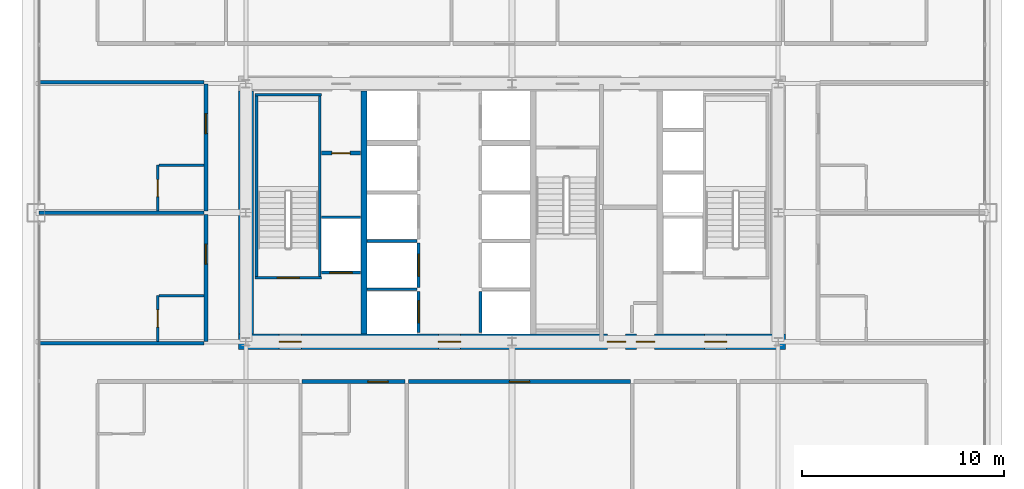
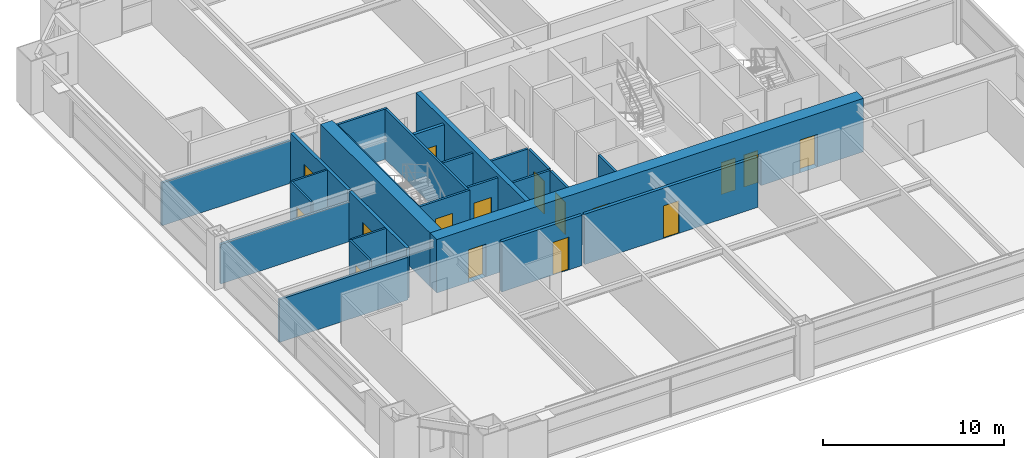
# One storey, part 35 of 39: 26 walls, 16 doors, 16 openings.
"""IFC4 building model written with IfcOpenShell, lengths in metres."""

from ifc_helpers import new_model, si_unit, direction, frame, frame_2d, origin, place, context, subcontext, project, spatial, rectangle, extrude, source, transform, mapped, material, layer, layer_set, type_object, element, fill, save


model = new_model("IFC4")

# Units and contexts
model_context = context("Model", 3, precision=1e-05, world=origin(), true_north=direction((0.0, 1.0)))
body_context = subcontext(model_context, "Body", "Model", "MODEL_VIEW")
ifc_project = project(units=[si_unit("LENGTHUNIT", "METRE"), si_unit("AREAUNIT", "SQUARE_METRE"), si_unit("VOLUMEUNIT", "CUBIC_METRE"), si_unit("PLANEANGLEUNIT", "RADIAN"), si_unit("MASSUNIT", "GRAM", prefix="KILO"), si_unit("THERMODYNAMICTEMPERATUREUNIT", "KELVIN"), si_unit("POWERUNIT", "WATT")], contexts=[model_context])

# Site, building, storey
site_placement = place(None, origin())
site = spatial("IfcSite", under=ifc_project, at=site_placement, CompositionType="ELEMENT")
building_placement = place(site_placement, origin())
building = spatial("IfcBuilding", under=site, at=building_placement, Name="Yuzanri Waterfront Tower", CompositionType="ELEMENT")
storey_placement = place(building_placement, frame((0.0, 0.0, 141.60009765625)))
storey = spatial("IfcBuildingStorey", under=building, at=storey_placement, Name="L37", CompositionType="ELEMENT", Elevation=141.60009765625)

# Wall, opening, door
ifc_material_1 = material(Name="Moisture-Resistant Gypsum Stud Wall", Category="gypsum")
ifc_layer_1 = layer(ifc_material_1, 0.1201171875)
ifc_layer_set_1 = layer_set([ifc_layer_1], Name="Moisture-Resistant Gypsum Stud Wall")
wall_type_1 = type_object("IfcWallType", Name="Bathroom and Kitchen Wet Partition 120", PredefinedType="PARTITIONING", material=ifc_layer_set_1)
wall_1_placement = place(storey_placement, frame((19.43994140625, 19.409912109375, 0.0), z_axis=(0.0, 0.0, 1.0), x_axis=(0.0, 1.0, 0.0)))
wall_1 = element("IfcWall", 1, at=wall_1_placement, inside=storey, type_object=wall_type_1, Name="L37 Partition UW-L37-W1-BW", PredefinedType="PARTITIONING", context=body_context, shape_type="SweptSolid", body=[
    extrude(rectangle(XDim=2.280029296875, YDim=0.1201171875, at=frame_2d((1.14013671875, 0.0))), origin(), (0.0, 0.0, 1.0), 3.3798828125),
])
opening_1_placement = place(wall_1_placement, frame((0.715087890625, 0.0, 0.0)))
opening_1 = element("IfcOpeningElement", 2, at=opening_1_placement, cuts=wall_1, Name="Opening ID-0850", PredefinedType="OPENING", context=body_context, shape_type="SweptSolid", body=[
    extrude(rectangle(XDim=0.85009765625, YDim=2.10009765625, at=frame_2d((0.425048828125, 1.050048828125))), frame((0.0, 0.074951171875, 0.0), z_axis=(0.0, -1.0, 0.0), x_axis=(1.0, 0.0, 0.0)), (0.0, 0.0, 1.0), 0.14990234375),
])
ifc_material_2 = material(Name="Moisture-Resistant Lacquered Timber", Category="wood")
door_type_1 = type_object("IfcDoorType", Name="En-Suite Bathroom and Kitchen Swing Door 850x2100", OperationType="NOTDEFINED", PredefinedType="DOOR", material=ifc_material_2)
shared_shape_1 = source(origin(), body_context, "Body", "SweptSolid", [
    extrude(rectangle(XDim=0.85009765625, YDim=2.10009765625, at=frame_2d((0.425048828125, 1.050048828125))), frame((0.0, 0.02490234375, 0.0), z_axis=(0.0, -1.0, 0.0), x_axis=(1.0, 0.0, 0.0)), (0.0, 0.0, 1.0), 0.050048828125),
])
door_1_placement = place(opening_1_placement, origin())
door_1 = element("IfcDoor", 3, at=door_1_placement, inside=storey, type_object=door_type_1, Name="L37 Guest En-Suite Door", OperationType="SINGLE_SWING_RIGHT", OverallHeight=2.10009765625, OverallWidth=0.85009765625, PredefinedType="DOOR", context=body_context, shape_type="MappedRepresentation", body=[
    mapped(shared_shape_1, transform((0.0, 0.0, 0.0), scale=1.0)),
])
fill(opening_1, door_1)

wall_2_placement = place(storey_placement, frame((19.43994140625, 25.8798828125, 0.0), z_axis=(0.0, 0.0, 1.0), x_axis=(0.0, 1.0, 0.0)))
wall_2 = element("IfcWall", 4, at=wall_2_placement, inside=storey, type_object=wall_type_1, Name="L37 Partition UW-L37-W2-BW", PredefinedType="PARTITIONING", context=body_context, shape_type="SweptSolid", body=[
    extrude(rectangle(XDim=2.280029296875, YDim=0.1201171875, at=frame_2d((1.14013671875, 0.0))), origin(), (0.0, 0.0, 1.0), 3.3798828125),
])
opening_2_placement = place(wall_2_placement, frame((0.715087890625, 0.0, 0.0)))
opening_2 = element("IfcOpeningElement", 5, at=opening_2_placement, cuts=wall_2, Name="Opening ID-0850", PredefinedType="OPENING", context=body_context, shape_type="SweptSolid", body=[
    extrude(rectangle(XDim=0.85009765625, YDim=2.10009765625, at=frame_2d((0.425048828125, 1.050048828125))), frame((0.0, 0.074951171875, 0.0), z_axis=(0.0, -1.0, 0.0), x_axis=(1.0, 0.0, 0.0)), (0.0, 0.0, 1.0), 0.14990234375),
])
door_2_placement = place(opening_2_placement, origin())
door_2 = element("IfcDoor", 6, at=door_2_placement, inside=storey, type_object=door_type_1, Name="L37 Guest En-Suite Door", OperationType="SINGLE_SWING_RIGHT", OverallHeight=2.10009765625, OverallWidth=0.85009765625, PredefinedType="DOOR", context=body_context, shape_type="MappedRepresentation", body=[
    mapped(shared_shape_1, transform((0.0, 0.0, 0.0), scale=1.0)),
])
fill(opening_2, door_2)

# Wall, openings, doors
ifc_material_3 = material(Name="Concrete C55", Category="concrete")
ifc_layer_2 = layer(ifc_material_3, 0.75)
ifc_layer_set_2 = layer_set([ifc_layer_2], Name="Concrete C55")
wall_type_2 = type_object("IfcWallType", Name="Concrete C55 Low-Mid Zone Core Shear Wall 750", PredefinedType="SHEAR", material=ifc_layer_set_2)
wall_3_placement = place(storey_placement, frame((23.425048828125, 19.39990234375, 0.0), z_axis=(0.0, 0.0, 1.0), x_axis=(1.0, 0.0, 0.0)))
wall_3 = element("IfcWall", 7, at=wall_3_placement, inside=storey, type_object=wall_type_2, Name="L37 Core South Shear Wall", PredefinedType="SHEAR", context=body_context, shape_type="SweptSolid", body=[
    extrude(rectangle(XDim=27.14990234375, YDim=0.75, at=frame_2d((13.574951171875, 0.0))), origin(), (0.0, 0.0, 1.0), 3.599853515625),
])
opening_3_placement = place(wall_3_placement, frame((2.02490234375, 0.0, 0.0)))
opening_3 = element("IfcOpeningElement", 8, at=opening_3_placement, cuts=wall_3, Name="Opening FD-1100", PredefinedType="OPENING", context=body_context, shape_type="SweptSolid", body=[
    extrude(rectangle(XDim=1.10009765625, YDim=2.199951171875, at=frame_2d((0.550048828125, 1.10009765625))), frame((0.0, 0.389892578125, 0.0), z_axis=(0.0, -1.0, 0.0), x_axis=(1.0, 0.0, 0.0)), (0.0, 0.0, 1.0), 0.77978515625),
])
opening_4_placement = place(wall_3_placement, frame((9.925048828125, 0.0, 0.0)))
opening_4 = element("IfcOpeningElement", 9, at=opening_4_placement, cuts=wall_3, Name="Opening FD-1100", PredefinedType="OPENING", context=body_context, shape_type="SweptSolid", body=[
    extrude(rectangle(XDim=1.10009765625, YDim=2.199951171875, at=frame_2d((0.550048828125, 1.10009765625))), frame((0.0, 0.389892578125, 0.0), z_axis=(0.0, -1.0, 0.0), x_axis=(1.0, 0.0, 0.0)), (0.0, 0.0, 1.0), 0.77978515625),
])
opening_5_placement = place(wall_3_placement, frame((23.125, 0.0, 0.0)))
opening_5 = element("IfcOpeningElement", 10, at=opening_5_placement, cuts=wall_3, Name="Opening FD-1100", PredefinedType="OPENING", context=body_context, shape_type="SweptSolid", body=[
    extrude(rectangle(XDim=1.10009765625, YDim=2.199951171875, at=frame_2d((0.550048828125, 1.10009765625))), frame((0.0, 0.389892578125, 0.0), z_axis=(0.0, -1.0, 0.0), x_axis=(1.0, 0.0, 0.0)), (0.0, 0.0, 1.0), 0.77978515625),
])
opening_6_placement = place(wall_3_placement, frame((19.7451171875, 0.0, 0.0)))
opening_6 = element("IfcOpeningElement", 11, at=opening_6_placement, cuts=wall_3, Name="Opening FD-0900", PredefinedType="OPENING", context=body_context, shape_type="SweptSolid", body=[
    extrude(rectangle(XDim=0.89990234375, YDim=2.14990234375, at=frame_2d((0.449951171875, 1.074951171875))), frame((0.0, 0.389892578125, 0.0), z_axis=(0.0, -1.0, 0.0), x_axis=(1.0, 0.0, 0.0)), (0.0, 0.0, 1.0), 0.77978515625),
])
opening_7_placement = place(wall_3_placement, frame((18.304931640625, 0.0, 0.0)))
opening_7 = element("IfcOpeningElement", 12, at=opening_7_placement, cuts=wall_3, Name="Opening FD-0900", PredefinedType="OPENING", context=body_context, shape_type="SweptSolid", body=[
    extrude(rectangle(XDim=0.89990234375, YDim=2.14990234375, at=frame_2d((0.449951171875, 1.074951171875))), frame((0.0, 0.389892578125, 0.0), z_axis=(0.0, -1.0, 0.0), x_axis=(1.0, 0.0, 0.0)), (0.0, 0.0, 1.0), 0.77978515625),
])
ifc_material_4 = material(Name="Painted Galvanized Fire Steel", Category="steel")
door_type_2 = type_object("IfcDoorType", Name="Smoke-Proof Stair and Lobby Fire Door 1100x2200", OperationType="NOTDEFINED", PredefinedType="DOOR", material=ifc_material_4)
shared_shape_2 = source(origin(), body_context, "Body", "SweptSolid", [
    extrude(rectangle(XDim=1.10009765625, YDim=2.199951171875, at=frame_2d((0.550048828125, 1.10009765625))), frame((0.0, 0.02490234375, 0.0), z_axis=(0.0, -1.0, 0.0), x_axis=(1.0, 0.0, 0.0)), (0.0, 0.0, 1.0), 0.050048828125),
])
door_3_placement = place(opening_3_placement, origin())
door_3 = element("IfcDoor", 13, at=door_3_placement, inside=storey, type_object=door_type_2, Name="L37 West Firefighting Lobby Door", OperationType="SINGLE_SWING_LEFT", OverallHeight=2.199951171875, OverallWidth=1.10009765625, PredefinedType="DOOR", context=body_context, shape_type="MappedRepresentation", body=[
    mapped(shared_shape_2, transform((0.0, 0.0, 0.0), scale=1.0)),
])
fill(opening_3, door_3)
door_4_placement = place(opening_4_placement, origin())
door_4 = element("IfcDoor", 14, at=door_4_placement, inside=storey, type_object=door_type_2, Name="L37 Central Lift Lobby South Door", OperationType="SINGLE_SWING_RIGHT", OverallHeight=2.199951171875, OverallWidth=1.10009765625, PredefinedType="DOOR", context=body_context, shape_type="MappedRepresentation", body=[
    mapped(shared_shape_2, transform((0.0, 0.0, 0.0), scale=1.0)),
])
fill(opening_4, door_4)
door_5_placement = place(opening_5_placement, origin())
door_5 = element("IfcDoor", 15, at=door_5_placement, inside=storey, type_object=door_type_2, Name="L37 East Firefighting Lobby Door", OperationType="SINGLE_SWING_LEFT", OverallHeight=2.199951171875, OverallWidth=1.10009765625, PredefinedType="DOOR", context=body_context, shape_type="MappedRepresentation", body=[
    mapped(shared_shape_2, transform((0.0, 0.0, 0.0), scale=1.0)),
])
fill(opening_5, door_5)
ifc_material_5 = material(Name="Painted Galvanized Fire Steel", Category="steel")
door_type_3 = type_object("IfcDoorType", Name="Riser and Service Room Fire Door 900x2150", OperationType="NOTDEFINED", PredefinedType="DOOR", material=ifc_material_5)
shared_shape_3 = source(origin(), body_context, "Body", "SweptSolid", [
    extrude(rectangle(XDim=0.89990234375, YDim=2.14990234375, at=frame_2d((0.449951171875, 1.074951171875))), frame((0.0, 0.02490234375, 0.0), z_axis=(0.0, -1.0, 0.0), x_axis=(1.0, 0.0, 0.0)), (0.0, 0.0, 1.0), 0.050048828125),
])
door_6_placement = place(opening_6_placement, origin())
door_6 = element("IfcDoor", 16, at=door_6_placement, inside=storey, type_object=door_type_3, Name="L37 East Wet Riser Door", OperationType="SINGLE_SWING_RIGHT", OverallHeight=2.14990234375, OverallWidth=0.89990234375, PredefinedType="DOOR", context=body_context, shape_type="MappedRepresentation", body=[
    mapped(shared_shape_3, transform((0.0, 0.0, 0.0), scale=1.0)),
])
fill(opening_6, door_6)
door_7_placement = place(opening_7_placement, origin())
door_7 = element("IfcDoor", 17, at=door_7_placement, inside=storey, type_object=door_type_3, Name="L37 Meter and Valve Store Room", OperationType="SINGLE_SWING_LEFT", OverallHeight=2.14990234375, OverallWidth=0.89990234375, PredefinedType="DOOR", context=body_context, shape_type="MappedRepresentation", body=[
    mapped(shared_shape_3, transform((0.0, 0.0, 0.0), scale=1.0)),
])
fill(opening_7, door_7)

# Wall, opening, door
ifc_material_6 = material(Name="Concrete C40", Category="concrete")
ifc_layer_3 = layer(ifc_material_6, 0.139892578125)
ifc_layer_set_3 = layer_set([ifc_layer_3], Name="Concrete C40")
wall_type_3 = type_object("IfcWallType", Name="Core Stair Liner and Hoistway Shaft Wall 140", PredefinedType="SOLIDWALL", material=ifc_layer_set_3)
wall_4_placement = place(storey_placement, frame((27.56005859375, 22.830078125, 0.0), z_axis=(0.0, 0.0, 1.0), x_axis=(1.0, 0.0, 0.0)))
wall_4 = element("IfcWall", 18, at=wall_4_placement, inside=storey, type_object=wall_type_3, Name="L37 Lift FL-01 Front Shaft Wall", PredefinedType="SOLIDWALL", context=body_context, shape_type="SweptSolid", body=[
    extrude(rectangle(XDim=1.919921875, YDim=0.139892578125, at=frame_2d((0.9599609375, 0.0))), origin(), (0.0, 0.0, 1.0), 3.3798828125),
])
opening_8_placement = place(wall_4_placement, frame((0.409912109375, 0.0, 0.0)))
opening_8 = element("IfcOpeningElement", 19, at=opening_8_placement, cuts=wall_4, Name="Opening LD-FL-01", PredefinedType="OPENING", context=body_context, shape_type="SweptSolid", body=[
    extrude(rectangle(XDim=1.10009765625, YDim=2.199951171875, at=frame_2d((0.550048828125, 1.10009765625))), frame((0.0, 0.0849609375, 0.0), z_axis=(0.0, -1.0, 0.0), x_axis=(1.0, 0.0, 0.0)), (0.0, 0.0, 1.0), 0.169677734375),
])
ifc_material_7 = material(Name="Brushed Bronze and Stainless Steel Cab", Category="steel")
door_type_4 = type_object("IfcDoorType", Name="Center-Parting Bronze Lift Landing Sliding Door 1100x2200", OperationType="NOTDEFINED", PredefinedType="DOOR", material=ifc_material_7)
shared_shape_4 = source(origin(), body_context, "Body", "SweptSolid", [
    extrude(rectangle(XDim=1.10009765625, YDim=2.199951171875, at=frame_2d((0.550048828125, 1.10009765625))), frame((0.0, 0.02490234375, 0.0), z_axis=(0.0, -1.0, 0.0), x_axis=(1.0, 0.0, 0.0)), (0.0, 0.0, 1.0), 0.050048828125),
])
door_8_placement = place(opening_8_placement, origin())
door_8 = element("IfcDoor", 20, at=door_8_placement, inside=storey, type_object=door_type_4, Name="L37 FL-01 Lift Landing Sliding Door", OperationType="SLIDING_TO_LEFT", OverallHeight=2.199951171875, OverallWidth=1.10009765625, PredefinedType="DOOR", context=body_context, shape_type="MappedRepresentation", body=[
    mapped(shared_shape_4, transform((0.0, 0.0, 0.0), scale=1.0)),
])
fill(opening_8, door_8)

wall_5_placement = place(storey_placement, frame((32.3701171875, 19.860107421875, 0.0), z_axis=(0.0, 0.0, 1.0), x_axis=(0.0, 1.0, 0.0)))
wall_5 = element("IfcWall", 21, at=wall_5_placement, inside=storey, type_object=wall_type_3, Name="L37 Lift PL-01 Front Shaft Wall", PredefinedType="SOLIDWALL", context=body_context, shape_type="SweptSolid", body=[
    extrude(rectangle(XDim=2.039794921875, YDim=0.139892578125, at=frame_2d((1.02001953125, 0.0))), origin(), (0.0, 0.0, 1.0), 3.3798828125),
])
opening_9_placement = place(wall_5_placement, frame((0.469970703125, 0.0, 0.0)))
opening_9 = element("IfcOpeningElement", 22, at=opening_9_placement, cuts=wall_5, Name="Opening LD-PL-01", PredefinedType="OPENING", context=body_context, shape_type="SweptSolid", body=[
    extrude(rectangle(XDim=1.10009765625, YDim=2.199951171875, at=frame_2d((0.550048828125, 1.10009765625))), frame((0.0, 0.0849609375, 0.0), z_axis=(0.0, -1.0, 0.0), x_axis=(1.0, 0.0, 0.0)), (0.0, 0.0, 1.0), 0.169677734375),
])
door_9_placement = place(opening_9_placement, origin())
door_9 = element("IfcDoor", 23, at=door_9_placement, inside=storey, type_object=door_type_4, Name="L37 PL-01 Lift Landing Sliding Door", OperationType="SLIDING_TO_LEFT", OverallHeight=2.199951171875, OverallWidth=1.10009765625, PredefinedType="DOOR", context=body_context, shape_type="MappedRepresentation", body=[
    mapped(shared_shape_4, transform((0.0, 0.0, 0.0), scale=1.0)),
])
fill(opening_9, door_9)

wall_6_placement = place(storey_placement, frame((32.3701171875, 22.10009765625, 0.0), z_axis=(0.0, 0.0, 1.0), x_axis=(0.0, 1.0, 0.0)))
wall_6 = element("IfcWall", 24, at=wall_6_placement, inside=storey, type_object=wall_type_3, Name="L37 Lift PL-02 Front Shaft Wall", PredefinedType="SOLIDWALL", context=body_context, shape_type="SweptSolid", body=[
    extrude(rectangle(XDim=2.199951171875, YDim=0.139892578125, at=frame_2d((1.10009765625, 0.0))), origin(), (0.0, 0.0, 1.0), 3.3798828125),
])
opening_10_placement = place(wall_6_placement, frame((0.550048828125, 0.0, 0.0)))
opening_10 = element("IfcOpeningElement", 25, at=opening_10_placement, cuts=wall_6, Name="Opening LD-PL-02", PredefinedType="OPENING", context=body_context, shape_type="SweptSolid", body=[
    extrude(rectangle(XDim=1.10009765625, YDim=2.199951171875, at=frame_2d((0.550048828125, 1.10009765625))), frame((0.0, 0.0849609375, 0.0), z_axis=(0.0, -1.0, 0.0), x_axis=(1.0, 0.0, 0.0)), (0.0, 0.0, 1.0), 0.169677734375),
])
door_10_placement = place(opening_10_placement, origin())
door_10 = element("IfcDoor", 26, at=door_10_placement, inside=storey, type_object=door_type_4, Name="L37 PL-02 Lift Landing Sliding Door", OperationType="SLIDING_TO_RIGHT", OverallHeight=2.199951171875, OverallWidth=1.10009765625, PredefinedType="DOOR", context=body_context, shape_type="MappedRepresentation", body=[
    mapped(shared_shape_4, transform((0.0, 0.0, 0.0), scale=1.0)),
])
fill(opening_10, door_10)

wall_7_placement = place(storey_placement, frame((24.260009765625, 22.570068359375, 0.0), z_axis=(0.0, 0.0, 1.0), x_axis=(1.0, 0.0, 0.0)))
wall_7 = element("IfcWall", 27, at=wall_7_placement, inside=storey, type_object=wall_type_3, Name="L37 Shaft Wall STW-L37-ST-01-S", PredefinedType="SOLIDWALL", context=body_context, shape_type="SweptSolid", body=[
    extrude(rectangle(XDim=3.280029296875, YDim=0.139892578125, at=frame_2d((1.64013671875, 0.0))), origin(), (0.0, 0.0, 1.0), 3.3798828125),
])
opening_11_placement = place(wall_7_placement, frame((1.090087890625, 0.0, 0.0)))
opening_11 = element("IfcOpeningElement", 28, at=opening_11_placement, cuts=wall_7, Name="Opening FD-1100", PredefinedType="OPENING", context=body_context, shape_type="SweptSolid", body=[
    extrude(rectangle(XDim=1.10009765625, YDim=2.199951171875, at=frame_2d((0.550048828125, 1.10009765625))), frame((0.0, 0.0849609375, 0.0), z_axis=(0.0, -1.0, 0.0), x_axis=(1.0, 0.0, 0.0)), (0.0, 0.0, 1.0), 0.169677734375),
])
door_11_placement = place(opening_11_placement, origin())
door_11 = element("IfcDoor", 29, at=door_11_placement, inside=storey, type_object=door_type_2, Name="L37 Stair ST-01 Fire Door", OperationType="SINGLE_SWING_RIGHT", OverallHeight=2.199951171875, OverallWidth=1.10009765625, PredefinedType="DOOR", context=body_context, shape_type="MappedRepresentation", body=[
    mapped(shared_shape_2, transform((0.0, 0.0, 0.0), scale=1.0)),
])
fill(opening_11, door_11)

ifc_material_8 = material(Name="Autoclaved Aerated Concrete Blockwork", Category="masonry")
ifc_layer_4 = layer(ifc_material_8, 0.199951171875)
ifc_layer_set_4 = layer_set([ifc_layer_4], Name="Autoclaved Aerated Concrete Blockwork")
wall_type_4 = type_object("IfcWallType", Name="Corridor and Unit Party Fire Wall 200", PredefinedType="PARTITIONING", material=ifc_layer_set_4)
wall_8_placement = place(storey_placement, frame((27.56005859375, 28.75, 0.0), z_axis=(0.0, 0.0, 1.0), x_axis=(1.0, 0.0, 0.0)))
wall_8 = element("IfcWall", 30, at=wall_8_placement, inside=storey, type_object=wall_type_4, Name="L37 Partition CRW-L37-ERTR", PredefinedType="PARTITIONING", context=body_context, shape_type="SweptSolid", body=[
    extrude(rectangle(XDim=1.919921875, YDim=0.199951171875, at=frame_2d((0.9599609375, 0.0))), origin(), (0.0, 0.0, 1.0), 3.3798828125),
])
opening_12_placement = place(wall_8_placement, frame((0.510009765625, 0.0, 0.0)))
opening_12 = element("IfcOpeningElement", 31, at=opening_12_placement, cuts=wall_8, Name="Opening FD-0900", PredefinedType="OPENING", context=body_context, shape_type="SweptSolid", body=[
    extrude(rectangle(XDim=0.89990234375, YDim=2.14990234375, at=frame_2d((0.449951171875, 1.074951171875))), frame((0.0, 0.11474609375, 0.0), z_axis=(0.0, -1.0, 0.0), x_axis=(1.0, 0.0, 0.0)), (0.0, 0.0, 1.0), 0.229736328125),
])
door_12_placement = place(opening_12_placement, origin())
door_12 = element("IfcDoor", 32, at=door_12_placement, inside=storey, type_object=door_type_3, Name="L37 Electrical Riser Door", OperationType="SINGLE_SWING_LEFT", OverallHeight=2.14990234375, OverallWidth=0.89990234375, PredefinedType="DOOR", context=body_context, shape_type="MappedRepresentation", body=[
    mapped(shared_shape_3, transform((0.0, 0.0, 0.0), scale=1.0)),
])
fill(opening_12, door_12)

wall_9_placement = place(storey_placement, frame((26.593994140625, 17.419921875, 0.0), z_axis=(0.0, 0.0, 1.0), x_axis=(1.0, 0.0, 0.0)))
wall_9 = element("IfcWall", 33, at=wall_9_placement, inside=storey, type_object=wall_type_4, Name="L37 Partition UW-L37-S2-CN", PredefinedType="PARTITIONING", context=body_context, shape_type="SweptSolid", body=[
    extrude(rectangle(XDim=5.10400390625, YDim=0.199951171875, at=frame_2d((2.552001953125, 0.0))), origin(), (0.0, 0.0, 1.0), 3.3798828125),
])
opening_13_placement = place(wall_9_placement, frame((3.257080078125, 0.0, 0.0)))
opening_13 = element("IfcOpeningElement", 34, at=opening_13_placement, cuts=wall_9, Name="Opening FD-1000", PredefinedType="OPENING", context=body_context, shape_type="SweptSolid", body=[
    extrude(rectangle(XDim=1.0, YDim=2.199951171875, at=frame_2d((0.5, 1.10009765625))), frame((0.0, 0.11474609375, 0.0), z_axis=(0.0, -1.0, 0.0), x_axis=(1.0, 0.0, 0.0)), (0.0, 0.0, 1.0), 0.229736328125),
])
ifc_material_9 = material(Name="Engineered Oak Fire-Rated Timber", Category="wood")
door_type_5 = type_object("IfcDoorType", Name="Guestroom and Apartment Entrance Fire Door 1000x2200", OperationType="NOTDEFINED", PredefinedType="DOOR", material=ifc_material_9)
shared_shape_5 = source(origin(), body_context, "Body", "SweptSolid", [
    extrude(rectangle(XDim=1.0, YDim=2.199951171875, at=frame_2d((0.5, 1.10009765625))), frame((0.0, 0.02490234375, 0.0), z_axis=(0.0, -1.0, 0.0), x_axis=(1.0, 0.0, 0.0)), (0.0, 0.0, 1.0), 0.050048828125),
])
door_13_placement = place(opening_13_placement, origin())
door_13 = element("IfcDoor", 35, at=door_13_placement, inside=storey, type_object=door_type_5, Name="L37 Junior Suite Entrance Door", OperationType="SINGLE_SWING_LEFT", OverallHeight=2.199951171875, OverallWidth=1.0, PredefinedType="DOOR", context=body_context, shape_type="MappedRepresentation", body=[
    mapped(shared_shape_5, transform((0.0, 0.0, 0.0), scale=1.0)),
])
fill(opening_13, door_13)

wall_10_placement = place(storey_placement, frame((31.85791015625, 17.419921875, 0.0), z_axis=(0.0, 0.0, 1.0), x_axis=(1.0, 0.0, 0.0)))
wall_10 = element("IfcWall", 36, at=wall_10_placement, inside=storey, type_object=wall_type_4, Name="L37 Partition UW-L37-S3-CN", PredefinedType="PARTITIONING", context=body_context, shape_type="SweptSolid", body=[
    extrude(rectangle(XDim=11.024169921875, YDim=0.199951171875, at=frame_2d((5.51220703125, 0.0))), origin(), (0.0, 0.0, 1.0), 3.3798828125),
])
opening_14_placement = place(wall_10_placement, frame((5.011962890625, 0.0, 0.0)))
opening_14 = element("IfcOpeningElement", 37, at=opening_14_placement, cuts=wall_10, Name="Opening FD-1000", PredefinedType="OPENING", context=body_context, shape_type="SweptSolid", body=[
    extrude(rectangle(XDim=1.0, YDim=2.199951171875, at=frame_2d((0.5, 1.10009765625))), frame((0.0, 0.11474609375, 0.0), z_axis=(0.0, -1.0, 0.0), x_axis=(1.0, 0.0, 0.0)), (0.0, 0.0, 1.0), 0.229736328125),
])
door_14_placement = place(opening_14_placement, origin())
door_14 = element("IfcDoor", 38, at=door_14_placement, inside=storey, type_object=door_type_5, Name="L37 Yoga Gym Studio Entrance Door", OperationType="SINGLE_SWING_LEFT", OverallHeight=2.199951171875, OverallWidth=1.0, PredefinedType="DOOR", context=body_context, shape_type="MappedRepresentation", body=[
    mapped(shared_shape_5, transform((0.0, 0.0, 0.0), scale=1.0)),
])
fill(opening_14, door_14)

wall_11_placement = place(storey_placement, frame((21.820068359375, 19.409912109375, 0.0), z_axis=(0.0, 0.0, 1.0), x_axis=(0.0, 1.0, 0.0)))
wall_11 = element("IfcWall", 39, at=wall_11_placement, inside=storey, type_object=wall_type_4, Name="L37 Partition UW-L37-W1-CW", PredefinedType="PARTITIONING", context=body_context, shape_type="SweptSolid", body=[
    extrude(rectangle(XDim=6.31005859375, YDim=0.199951171875, at=frame_2d((3.155029296875, 0.0))), origin(), (0.0, 0.0, 1.0), 3.3798828125),
])
opening_15_placement = place(wall_11_placement, frame((3.8349609375, 0.0, 0.0)))
opening_15 = element("IfcOpeningElement", 40, at=opening_15_placement, cuts=wall_11, Name="Opening FD-1000", PredefinedType="OPENING", context=body_context, shape_type="SweptSolid", body=[
    extrude(rectangle(XDim=1.0, YDim=2.199951171875, at=frame_2d((0.5, 1.10009765625))), frame((0.0, 0.11474609375, 0.0), z_axis=(0.0, -1.0, 0.0), x_axis=(1.0, 0.0, 0.0)), (0.0, 0.0, 1.0), 0.229736328125),
])
door_15_placement = place(opening_15_placement, origin())
door_15 = element("IfcDoor", 41, at=door_15_placement, inside=storey, type_object=door_type_5, Name="L37 West Guest Room Entrance Door", OperationType="SINGLE_SWING_LEFT", OverallHeight=2.199951171875, OverallWidth=1.0, PredefinedType="DOOR", context=body_context, shape_type="MappedRepresentation", body=[
    mapped(shared_shape_5, transform((0.0, 0.0, 0.0), scale=1.0)),
])
fill(opening_15, door_15)

wall_12_placement = place(storey_placement, frame((21.820068359375, 25.8798828125, 0.0), z_axis=(0.0, 0.0, 1.0), x_axis=(0.0, 1.0, 0.0)))
wall_12 = element("IfcWall", 42, at=wall_12_placement, inside=storey, type_object=wall_type_4, Name="L37 Partition UW-L37-W2-CW", PredefinedType="PARTITIONING", context=body_context, shape_type="SweptSolid", body=[
    extrude(rectangle(XDim=6.31005859375, YDim=0.199951171875, at=frame_2d((3.155029296875, 0.0))), origin(), (0.0, 0.0, 1.0), 3.3798828125),
])
opening_16_placement = place(wall_12_placement, frame((3.8349609375, 0.0, 0.0)))
opening_16 = element("IfcOpeningElement", 43, at=opening_16_placement, cuts=wall_12, Name="Opening FD-1000", PredefinedType="OPENING", context=body_context, shape_type="SweptSolid", body=[
    extrude(rectangle(XDim=1.0, YDim=2.199951171875, at=frame_2d((0.5, 1.10009765625))), frame((0.0, 0.11474609375, 0.0), z_axis=(0.0, -1.0, 0.0), x_axis=(1.0, 0.0, 0.0)), (0.0, 0.0, 1.0), 0.229736328125),
])
door_16_placement = place(opening_16_placement, origin())
door_16 = element("IfcDoor", 44, at=door_16_placement, inside=storey, type_object=door_type_5, Name="L37 West Guest Room Entrance Door", OperationType="SINGLE_SWING_LEFT", OverallHeight=2.199951171875, OverallWidth=1.0, PredefinedType="DOOR", context=body_context, shape_type="MappedRepresentation", body=[
    mapped(shared_shape_5, transform((0.0, 0.0, 0.0), scale=1.0)),
])
fill(opening_16, door_16)

# Walls
shared_shape_6 = source(origin(), body_context, "Body", "SweptSolid", [
    extrude(rectangle(XDim=12.050048828125, YDim=0.75, at=frame_2d((6.02490234375, 0.0))), origin(), (0.0, 0.0, 1.0), 3.599853515625),
])
wall_13_placement = place(storey_placement, frame((23.800048828125, 19.77490234375, 0.0), z_axis=(0.0, 0.0, 1.0), x_axis=(0.0, 1.0, 0.0)))
element("IfcWall", 45, at=wall_13_placement, inside=storey, type_object=wall_type_2, Name="L37 Core West Shear Wall", PredefinedType="SHEAR", context=body_context, shape_type="MappedRepresentation", body=[
    mapped(shared_shape_6, transform((0.0, 0.0, 0.0), scale=1.0)),
])
ifc_material_10 = material(Name="Concrete C50", Category="concrete")
ifc_layer_5 = layer(ifc_material_10, 0.300048828125)
ifc_layer_set_5 = layer_set([ifc_layer_5], Name="Concrete C50")
wall_type_5 = type_object("IfcWallType", Name="Concrete C50 Internal Core Shaft Structural Wall 300", PredefinedType="SOLIDWALL", material=ifc_layer_set_5)
shared_shape_7 = source(origin(), body_context, "Body", "SweptSolid", [
    extrude(rectangle(XDim=12.050048828125, YDim=0.300048828125, at=frame_2d((6.02490234375, 0.0))), origin(), (0.0, 0.0, 1.0), 3.599853515625),
])
wall_14_placement = place(storey_placement, frame((29.64990234375, 19.77490234375, 0.0), z_axis=(0.0, 0.0, 1.0), x_axis=(0.0, 1.0, 0.0)))
element("IfcWall", 46, at=wall_14_placement, inside=storey, type_object=wall_type_5, Name="L37 Core Internal Structural Web Wall 1", PredefinedType="SOLIDWALL", context=body_context, shape_type="MappedRepresentation", body=[
    mapped(shared_shape_7, transform((0.0, 0.0, 0.0), scale=1.0)),
])
shared_shape_8 = source(origin(), body_context, "Body", "SweptSolid", [
    extrude(rectangle(XDim=1.919921875, YDim=0.139892578125, at=frame_2d((0.9599609375, 0.0))), origin(), (0.0, 0.0, 1.0), 3.3798828125),
])
wall_15_placement = place(storey_placement, frame((27.56005859375, 25.570068359375, 0.0), z_axis=(0.0, 0.0, 1.0), x_axis=(1.0, 0.0, 0.0)))
element("IfcWall", 47, at=wall_15_placement, inside=storey, type_object=wall_type_3, Name="L37 Lift FL-01 Back Shaft Wall", PredefinedType="SOLIDWALL", context=body_context, shape_type="MappedRepresentation", body=[
    mapped(shared_shape_8, transform((0.0, 0.0, 0.0), scale=1.0)),
])
shared_shape_9 = source(origin(), body_context, "Body", "SweptSolid", [
    extrude(rectangle(XDim=2.5, YDim=0.139892578125, at=frame_2d((1.25, 0.0))), origin(), (0.0, 0.0, 1.0), 3.3798828125),
])
for number, where, z_axis, x_axis, name in (
    (48, (29.800048828125, 22.0, 0.0), (0.0, 0.0, 1.0), (1.0, 0.0, 0.0), "L37 Lift PL-01 Divider Wall"),
    (49, (29.800048828125, 24.39990234375, 0.0), (0.0, 0.0, 1.0), (1.0, 0.0, 0.0), "L37 Lift PL-02 Divider Wall"),
):
    element("IfcWall", number, at=place(storey_placement, frame(where, z_axis=z_axis, x_axis=x_axis)), inside=storey, type_object=wall_type_3, Name=name, PredefinedType="SOLIDWALL", context=body_context, shape_type="MappedRepresentation", body=[
        mapped(shared_shape_9, transform((0.0, 0.0, 0.0), scale=1.0)),
    ])
shared_shape_10 = source(origin(), body_context, "Body", "SweptSolid", [
    extrude(rectangle(XDim=2.039794921875, YDim=0.139892578125, at=frame_2d((1.02001953125, 0.0))), origin(), (0.0, 0.0, 1.0), 3.3798828125),
])
wall_16_placement = place(storey_placement, frame((35.429931640625, 19.860107421875, 0.0), z_axis=(0.0, 0.0, 1.0), x_axis=(0.0, 1.0, 0.0)))
element("IfcWall", 50, at=wall_16_placement, inside=storey, type_object=wall_type_3, Name="L37 Lift PL-05 Front Shaft Wall", PredefinedType="SOLIDWALL", context=body_context, shape_type="MappedRepresentation", body=[
    mapped(shared_shape_10, transform((0.0, 0.0, 0.0), scale=1.0)),
])
shared_shape_11 = source(origin(), body_context, "Body", "SweptSolid", [
    extrude(rectangle(XDim=3.280029296875, YDim=0.139892578125, at=frame_2d((1.64013671875, 0.0))), origin(), (0.0, 0.0, 1.0), 3.3798828125),
])
wall_17_placement = place(storey_placement, frame((24.260009765625, 31.64990234375, 0.0), z_axis=(0.0, 0.0, 1.0), x_axis=(1.0, 0.0, 0.0)))
element("IfcWall", 51, at=wall_17_placement, inside=storey, type_object=wall_type_3, Name="L37 Stair ST-01 North Shaft Wall", PredefinedType="SOLIDWALL", context=body_context, shape_type="MappedRepresentation", body=[
    mapped(shared_shape_11, transform((0.0, 0.0, 0.0), scale=1.0)),
])
shared_shape_12 = source(origin(), body_context, "Body", "SweptSolid", [
    extrude(rectangle(XDim=8.940185546875, YDim=0.139892578125, at=frame_2d((4.47021484375, 0.0))), origin(), (0.0, 0.0, 1.0), 3.3798828125),
])
for number, where, z_axis, x_axis, name in (
    (52, (24.330078125, 22.639892578125, 0.0), (0.0, 0.0, 1.0), (0.0, 1.0, 0.0), "L37 Stair ST-01 West Shaft Wall"),
    (53, (27.469970703125, 22.639892578125, 0.0), (0.0, 0.0, 1.0), (0.0, 1.0, 0.0), "L37 Stair ST-01 East Shaft Wall"),
):
    element("IfcWall", number, at=place(storey_placement, frame(where, z_axis=z_axis, x_axis=x_axis)), inside=storey, type_object=wall_type_3, Name=name, PredefinedType="SOLIDWALL", context=body_context, shape_type="MappedRepresentation", body=[
        mapped(shared_shape_12, transform((0.0, 0.0, 0.0), scale=1.0)),
    ])
shared_shape_13 = source(origin(), body_context, "Body", "SweptSolid", [
    extrude(rectangle(XDim=2.219970703125, YDim=0.1201171875, at=frame_2d((1.10986328125, 0.0))), origin(), (0.0, 0.0, 1.0), 3.3798828125),
])
for number, where, z_axis, x_axis, name in (
    (54, (19.5, 21.68994140625, 0.0), (0.0, 0.0, 1.0), (1.0, 0.0, 0.0), "L37-W1 En-Suite Top Wall"),
    (55, (19.5, 28.159912109375, 0.0), (0.0, 0.0, 1.0), (1.0, 0.0, 0.0), "L37-W2 En-Suite Top Wall"),
):
    element("IfcWall", number, at=place(storey_placement, frame(where, z_axis=z_axis, x_axis=x_axis)), inside=storey, type_object=wall_type_1, Name=name, PredefinedType="PARTITIONING", context=body_context, shape_type="MappedRepresentation", body=[
        mapped(shared_shape_13, transform((0.0, 0.0, 0.0), scale=1.0)),
    ])
ifc_material_11 = material(Name="Gypsum Fireboard Acoustic Stud Wall", Category="gypsum")
ifc_layer_6 = layer(ifc_material_11, 0.159912109375)
ifc_layer_set_6 = layer_set([ifc_layer_6], Name="Gypsum Fireboard Acoustic Stud Wall")
wall_type_6 = type_object("IfcWallType", Name="Acoustic Suite Demising Partition 160", PredefinedType="PARTITIONING", material=ifc_layer_set_6)
shared_shape_14 = source(origin(), body_context, "Body", "SweptSolid", [
    extrude(rectangle(XDim=8.169921875, YDim=0.159912109375, at=frame_2d((4.0849609375, 0.0))), origin(), (0.0, 0.0, 1.0), 2.875),
])
for number, where, z_axis, x_axis, name in (
    (56, (13.550048828125, 19.330078125, 0.0), (0.0, 0.0, 1.0), (1.0, 0.0, 0.0), "L37-W1 Wing South End Wall"),
    (57, (13.550048828125, 32.27001953125, 0.0), (0.0, 0.0, 1.0), (1.0, 0.0, 0.0), "L37-W2 Wing North End Wall"),
):
    element("IfcWall", number, at=place(storey_placement, frame(where, z_axis=z_axis, x_axis=x_axis)), inside=storey, type_object=wall_type_6, Name=name, PredefinedType="PARTITIONING", context=body_context, shape_type="MappedRepresentation", body=[
        mapped(shared_shape_14, transform((0.0, 0.0, 0.0), scale=1.0)),
    ])
shared_shape_15 = source(origin(), body_context, "Body", "SweptSolid", [
    extrude(rectangle(XDim=8.169921875, YDim=0.159912109375, at=frame_2d((4.0849609375, 0.0))), origin(), (0.0, 0.0, 1.0), 2.6748046875),
])
wall_18_placement = place(storey_placement, frame((13.550048828125, 25.800048828125, 0.0), z_axis=(0.0, 0.0, 1.0), x_axis=(1.0, 0.0, 0.0)))
element("IfcWall", 58, at=wall_18_placement, inside=storey, type_object=wall_type_6, Name="L37-W1 Wing Party Wall", PredefinedType="PARTITIONING", context=body_context, shape_type="MappedRepresentation", body=[
    mapped(shared_shape_15, transform((0.0, 0.0, 0.0), scale=1.0)),
])

save(model, "model.ifc")
